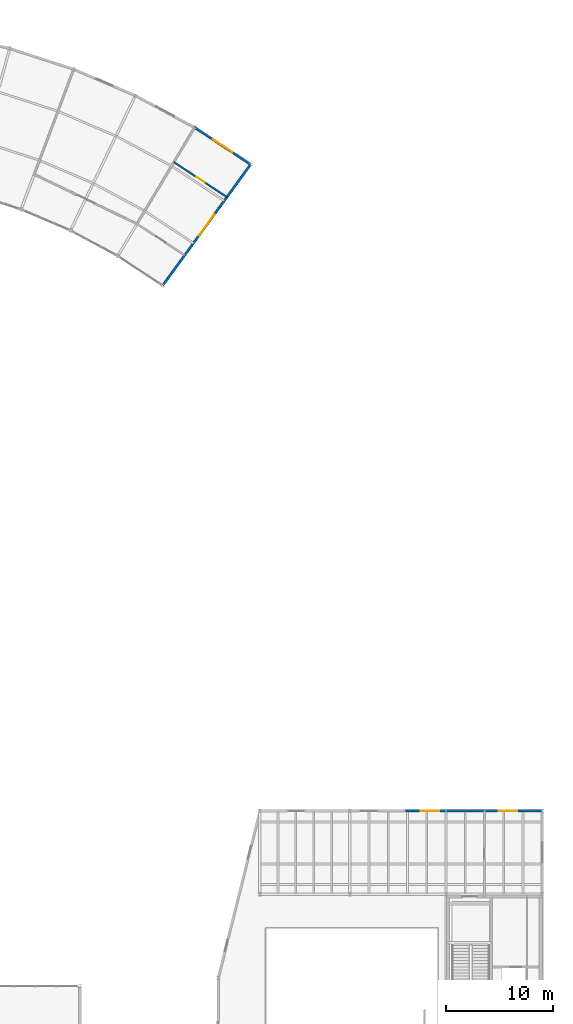
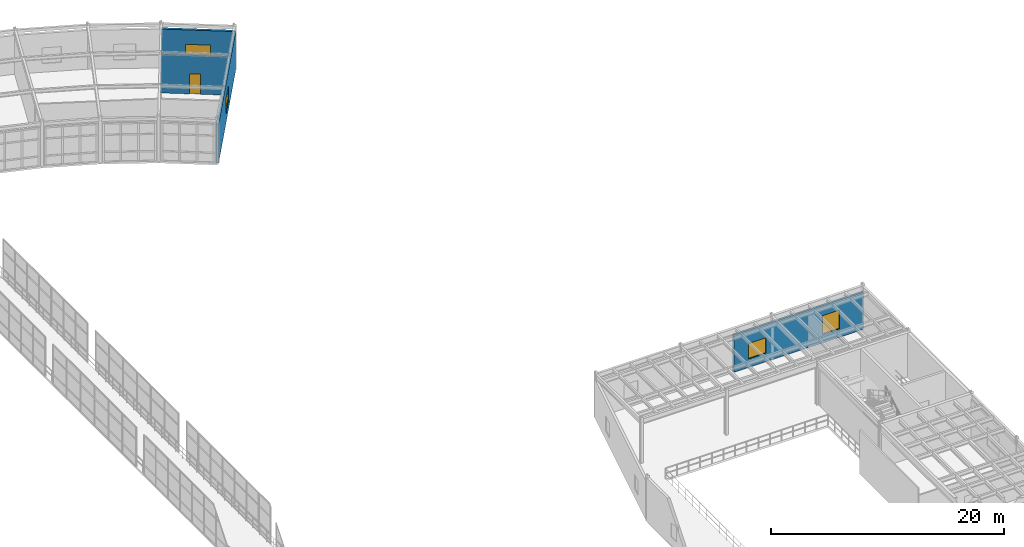
# One storey, part 92 of 105: 4 walls, 4 windows, 1 door, 5 openings.
"""IFC4 building model written with IfcOpenShell, lengths in metres."""

from ifc_helpers import new_model, si_unit, direction, frame, frame_2d, origin, place, context, subcontext, project, spatial, rectangle, extrude, material, layer, layer_set, type_object, element, fill, save


model = new_model("IFC4")

# Units and contexts
model_context = context("Model", 3, precision=1e-05, world=origin(), true_north=direction((0.0, 1.0)))
body_context = subcontext(model_context, "Body", "Model", "MODEL_VIEW")
ifc_project = project(units=[si_unit("LENGTHUNIT", "METRE"), si_unit("AREAUNIT", "SQUARE_METRE"), si_unit("VOLUMEUNIT", "CUBIC_METRE"), si_unit("PLANEANGLEUNIT", "RADIAN"), si_unit("MASSUNIT", "GRAM", prefix="KILO")], contexts=[model_context])

# Site, building, storey
site_placement = place(None, origin())
site = spatial("IfcSite", under=ifc_project, at=site_placement, CompositionType="ELEMENT")
building_placement = place(site_placement, origin())
building = spatial("IfcBuilding", under=site, at=building_placement, Name="Selat Folded Stagehouse", CompositionType="ELEMENT")
storey_placement = place(building_placement, frame((0.0, 0.0, 10.199951171875)))
storey = spatial("IfcBuildingStorey", under=building, at=storey_placement, Name="L02", CompositionType="ELEMENT", Elevation=10.199951171875)

# Wall, openings, windows
ifc_material_1 = material(Name="Precast concrete C40/50", Category="concrete")
ifc_layer_1 = layer(ifc_material_1, 0.22998046875)
ifc_layer_set_1 = layer_set([ifc_layer_1], Name="Precast concrete C40/50")
wall_type_1 = type_object("IfcWallType", Name="WAL-EXT-230", PredefinedType="STANDARD", material=ifc_layer_set_1)
wall_1_placement = place(storey_placement, frame((148.0, 34.199951171875, 0.0), z_axis=(0.0, 0.0, 1.0), x_axis=(1.0, 0.0, 0.0)))
wall_1 = element("IfcWall", 1, at=wall_1_placement, inside=storey, type_object=wall_type_1, Name="L02 exterior facade wall EW-L02-V3N-2", PredefinedType="STANDARD", context=body_context, shape_type="SweptSolid", body=[
    extrude(rectangle(XDim=12.800048828125, YDim=0.22998046875, at=frame_2d((6.39990234375, 0.0))), origin(), (0.0, 0.0, 1.0), 3.888671875),
])
opening_1_placement = place(wall_1_placement, frame((1.449951171875, 0.0, 0.89990234375)))
opening_1 = element("IfcOpeningElement", 2, at=opening_1_placement, cuts=wall_1, Name="Opening WN-21", PredefinedType="OPENING", context=body_context, shape_type="SweptSolid", body=[
    extrude(rectangle(XDim=1.699951171875, YDim=1.60009765625, at=frame_2d((0.85009765625, 0.800048828125))), frame((0.0, 0.125, 0.0), z_axis=(0.0, -1.0, 0.0), x_axis=(1.0, 0.0, 0.0)), (0.0, 0.0, 1.0), 0.25),
])
opening_2_placement = place(wall_1_placement, frame((8.75, 0.0, 0.89990234375)))
opening_2 = element("IfcOpeningElement", 3, at=opening_2_placement, cuts=wall_1, Name="Opening WN-32", PredefinedType="OPENING", context=body_context, shape_type="SweptSolid", body=[
    extrude(rectangle(XDim=1.699951171875, YDim=1.949951171875, at=frame_2d((0.85009765625, 0.97509765625))), frame((0.0, 0.125, 0.0), z_axis=(0.0, -1.0, 0.0), x_axis=(1.0, 0.0, 0.0)), (0.0, 0.0, 1.0), 0.25),
])
ifc_material_2 = material(Name="Thermally broken aluminium and acoustic low-E glass", Category="aluminium")
window_type_1 = type_object("IfcWindowType", Name="WIN-DR-1700x1600", PartitioningType="SINGLE_PANEL", PredefinedType="WINDOW", material=ifc_material_2)
window_1_placement = place(opening_1_placement, origin())
window_1 = element("IfcWindow", 4, at=window_1_placement, inside=storey, type_object=window_type_1, Name="L02 exterior window EW-L02-V3N-2-1", OverallHeight=1.60009765625, OverallWidth=1.699951171875, PartitioningType="SINGLE_PANEL", PredefinedType="WINDOW", context=body_context, shape_type="SweptSolid", body=[
    extrude(rectangle(XDim=1.699951171875, YDim=1.60009765625, at=frame_2d((0.85009765625, 0.800048828125))), frame((0.0, 0.030029296875, 0.0), z_axis=(0.0, -1.0, 0.0), x_axis=(1.0, 0.0, 0.0)), (0.0, 0.0, 1.0), 0.06005859375),
])
fill(opening_1, window_1)
window_type_2 = type_object("IfcWindowType", Name="WIN-ED-1700x1950", PartitioningType="SINGLE_PANEL", PredefinedType="WINDOW", material=ifc_material_2)
window_2_placement = place(opening_2_placement, origin())
window_2 = element("IfcWindow", 5, at=window_2_placement, inside=storey, type_object=window_type_2, Name="L02 exterior window EW-L02-V3N-2-2", OverallHeight=1.949951171875, OverallWidth=1.699951171875, PartitioningType="SINGLE_PANEL", PredefinedType="WINDOW", context=body_context, shape_type="SweptSolid", body=[
    extrude(rectangle(XDim=1.699951171875, YDim=1.949951171875, at=frame_2d((0.85009765625, 0.97509765625))), frame((0.0, 0.030029296875, 0.0), z_axis=(0.0, -1.0, 0.0), x_axis=(1.0, 0.0, 0.0)), (0.0, 0.0, 1.0), 0.06005859375),
])
fill(opening_2, window_2)

# Wall, opening, window
wall_2_placement = place(storey_placement, frame((128.302978515625, 98.09130859375, 0.0), z_axis=(0.0, 0.0, 1.0), x_axis=(0.834571163011, -0.550900148729, 0.0)))
wall_2 = element("IfcWall", 6, at=wall_2_placement, inside=storey, type_object=wall_type_1, Name="L02 exterior facade wall EW-L02-V6OUT-13", PredefinedType="STANDARD", context=body_context, shape_type="SweptSolid", body=[
    extrude(rectangle(XDim=6.281005859375, YDim=0.22998046875, at=frame_2d((3.140625, 0.0))), origin(), (0.0, 0.0, 1.0), 4.05908203125),
])
opening_3_placement = place(wall_2_placement, frame((2.065673828125, 0.0, 0.89990234375)))
opening_3 = element("IfcOpeningElement", 7, at=opening_3_placement, cuts=wall_2, Name="Opening WN-34", PredefinedType="OPENING", context=body_context, shape_type="SweptSolid", body=[
    extrude(rectangle(XDim=2.14990234375, YDim=1.64990234375, at=frame_2d((1.074951171875, 0.824951171875))), frame((0.0, 0.125, 0.0), z_axis=(0.0, -1.0, 0.0), x_axis=(1.0, 0.0, 0.0)), (0.0, 0.0, 1.0), 0.25),
])
window_type_3 = type_object("IfcWindowType", Name="WIN-OF-2150x1650", PartitioningType="SINGLE_PANEL", PredefinedType="WINDOW", material=ifc_material_2)
window_3_placement = place(opening_3_placement, origin())
window_3 = element("IfcWindow", 8, at=window_3_placement, inside=storey, type_object=window_type_3, Name="L02 exterior window EW-L02-V6OUT-13-1", OverallHeight=1.64990234375, OverallWidth=2.14990234375, PartitioningType="SINGLE_PANEL", PredefinedType="WINDOW", context=body_context, shape_type="SweptSolid", body=[
    extrude(rectangle(XDim=2.14990234375, YDim=1.64990234375, at=frame_2d((1.074951171875, 0.824951171875))), frame((0.0, 0.030029296875, 0.0), z_axis=(0.0, -1.0, 0.0), x_axis=(1.0, 0.0, 0.0)), (0.0, 0.0, 1.0), 0.06005859375),
])
fill(opening_3, window_3)

wall_3_placement = place(storey_placement, frame((133.544921875, 94.631103515625, 0.0), z_axis=(0.0, 0.0, 1.0), x_axis=(-0.587787980643, -0.809015012105, 0.0)))
wall_3 = element("IfcWall", 9, at=wall_3_placement, inside=storey, type_object=wall_type_1, Name="L02 exterior facade wall EW-L02-V6E", PredefinedType="STANDARD", context=body_context, shape_type="SweptSolid", body=[
    extrude(rectangle(XDim=14.0, YDim=0.22998046875, at=frame_2d((7.0, 0.0))), origin(), (0.0, 0.0, 1.0), 4.05908203125),
])
opening_4_placement = place(wall_3_placement, frame((5.800048828125, 0.0, 0.89990234375)))
opening_4 = element("IfcOpeningElement", 10, at=opening_4_placement, cuts=wall_3, Name="Opening WN-33", PredefinedType="OPENING", context=body_context, shape_type="SweptSolid", body=[
    extrude(rectangle(XDim=2.39990234375, YDim=1.64990234375, at=frame_2d((1.199951171875, 0.824951171875))), frame((0.0, 0.125, 0.0), z_axis=(0.0, -1.0, 0.0), x_axis=(1.0, 0.0, 0.0)), (0.0, 0.0, 1.0), 0.25),
])
window_type_4 = type_object("IfcWindowType", Name="WIN-OF-2400x1650", PartitioningType="SINGLE_PANEL", PredefinedType="WINDOW", material=ifc_material_2)
window_4_placement = place(opening_4_placement, origin())
window_4 = element("IfcWindow", 11, at=window_4_placement, inside=storey, type_object=window_type_4, Name="L02 exterior window EW-L02-V6E-1", OverallHeight=1.64990234375, OverallWidth=2.39990234375, PartitioningType="SINGLE_PANEL", PredefinedType="WINDOW", context=body_context, shape_type="SweptSolid", body=[
    extrude(rectangle(XDim=2.39990234375, YDim=1.64990234375, at=frame_2d((1.199951171875, 0.824951171875))), frame((0.0, 0.030029296875, 0.0), z_axis=(0.0, -1.0, 0.0), x_axis=(1.0, 0.0, 0.0)), (0.0, 0.0, 1.0), 0.06005859375),
])
fill(opening_4, window_4)

# Wall, opening, door
ifc_material_3 = material(Name="Moisture-resistant sanitary service wall", Category="gypsum")
ifc_layer_2 = layer(ifc_material_3, 0.159912109375)
ifc_layer_set_2 = layer_set([ifc_layer_2], Name="Moisture-resistant sanitary service wall")
wall_type_2 = type_object("IfcWallType", Name="WAL-PLMB-160", PredefinedType="PLUMBINGWALL", material=ifc_layer_set_2)
wall_4_placement = place(storey_placement, frame((126.3642578125, 94.846435546875, 0.0), z_axis=(0.0, 0.0, 1.0), x_axis=(0.834570114264, -0.550901737497, 0.0)))
wall_4 = element("IfcWall", 12, at=wall_4_placement, inside=storey, type_object=wall_type_2, Name="L02 interior partition wall 085", PredefinedType="PLUMBINGWALL", context=body_context, shape_type="SweptSolid", body=[
    extrude(rectangle(XDim=5.94189453125, YDim=0.159912109375, at=frame_2d((2.970947265625, 0.0))), origin(), (0.0, 0.0, 1.0), 4.05908203125),
])
opening_5_placement = place(wall_4_placement, frame((2.49609375, 0.0, 0.0)))
opening_5 = element("IfcOpeningElement", 13, at=opening_5_placement, cuts=wall_4, Name="Opening ID-04", PredefinedType="OPENING", context=body_context, shape_type="SweptSolid", body=[
    extrude(rectangle(XDim=0.949951171875, YDim=2.10009765625, at=frame_2d((0.47509765625, 1.050048828125))), frame((0.0, 0.08984375, 0.0), z_axis=(0.0, -1.0, 0.0), x_axis=(1.0, 0.0, 0.0)), (0.0, 0.0, 1.0), 0.179931640625),
])
ifc_material_4 = material(Name="Accessible toilet outward-opening door", Category="wood")
door_type = type_object("IfcDoorType", Name="DOR-WC-0950", OperationType="NOTDEFINED", PredefinedType="DOOR", material=ifc_material_4)
door_placement = place(opening_5_placement, origin())
door = element("IfcDoor", 14, at=door_placement, inside=storey, type_object=door_type, Name="L02 interior door IWAL-L02-085-1", OperationType="SINGLE_SWING_LEFT", OverallHeight=2.10009765625, OverallWidth=0.949951171875, PredefinedType="DOOR", context=body_context, shape_type="SweptSolid", body=[
    extrude(rectangle(XDim=0.949951171875, YDim=2.10009765625, at=frame_2d((0.47509765625, 1.050048828125))), frame((0.0, 0.02490234375, 0.0), z_axis=(0.0, -1.0, 0.0), x_axis=(1.0, 0.0, 0.0)), (0.0, 0.0, 1.0), 0.050048828125),
])
fill(opening_5, door)

save(model, "model.ifc")
